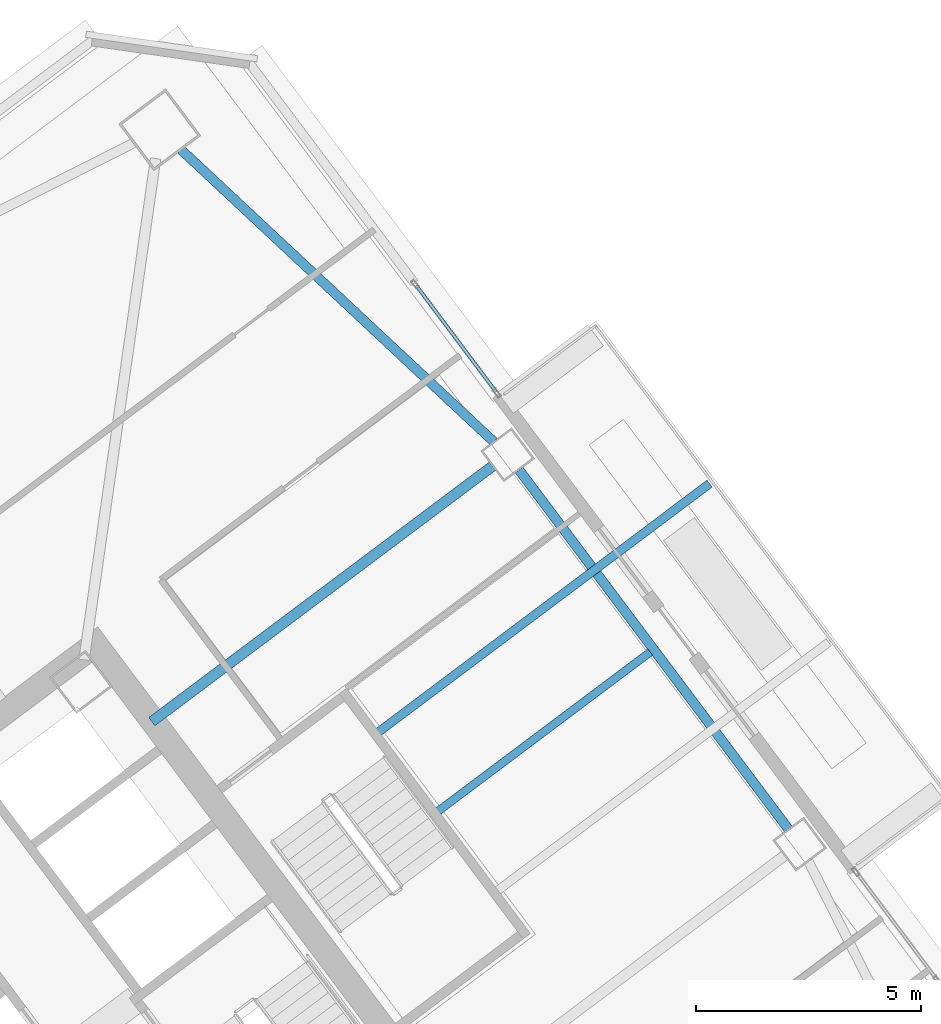
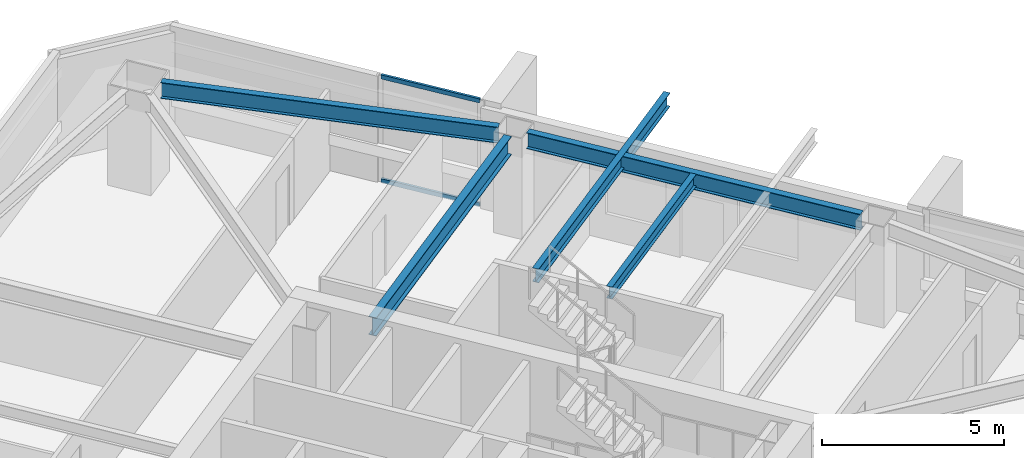
# One storey, part 27 of 41: 5 beams, 2 members, 1 element without a shape of its own.
"""IFC4 building model written with IfcOpenShell, lengths in metres."""

from ifc_helpers import new_model, si_unit, direction, frame, origin, origin_2d, place, context, subcontext, project, spatial, hollow_rectangle, i_section, extrude, material, material_profile, profile_set, type_object, element, aggregate, save


model = new_model("IFC4")

# Units and contexts
model_context = context("Model", 3, precision=1e-05, world=origin(), true_north=direction((0.0, 1.0)))
body_context = subcontext(model_context, "Body", "Model", "MODEL_VIEW")
ifc_project = project(units=[si_unit("LENGTHUNIT", "METRE"), si_unit("AREAUNIT", "SQUARE_METRE"), si_unit("VOLUMEUNIT", "CUBIC_METRE"), si_unit("PLANEANGLEUNIT", "RADIAN"), si_unit("MASSUNIT", "GRAM", prefix="KILO")], contexts=[model_context])

# Site, building, storey
site_placement = place(None, origin())
site = spatial("IfcSite", under=ifc_project, at=site_placement, CompositionType="ELEMENT")
building_placement = place(site_placement, origin())
building = spatial("IfcBuilding", under=site, at=building_placement, Name="Tashvorn Skyway Center", CompositionType="ELEMENT")
storey_placement = place(building_placement, frame((0.0, 0.0, 146.35009765625)))
storey = spatial("IfcBuildingStorey", under=building, at=storey_placement, Name="L39", CompositionType="ELEMENT", Elevation=146.35009765625)

# Beams
ifc_material_1 = material(Name="Steel ASTM A992 Grade 50", Category="steel")
ifc_material_profile_1 = material_profile(ifc_material_1, i_section(OverallWidth=0.22998046875, OverallDepth=0.616943359375, WebThickness=0.01318359375, FlangeThickness=0.022216796875, at=origin_2d()), Name="W24X94")
ifc_profile_set_1 = profile_set([ifc_material_profile_1], Name="Steel ASTM A992 Grade 50")
beam_type_1 = type_object("IfcBeamType", Name="BM-BEAM-W24X94", PredefinedType="BEAM", material=ifc_profile_set_1)
beam_1_placement = place(storey_placement, frame((124.5439453125, 46.657958984375, 3.0615234375), z_axis=(-0.800006200354, -0.599991732772, 0.0), x_axis=(0.599991732772, -0.800006200354, 0.0)))
element("IfcBeam", 1, at=beam_1_placement, inside=storey, type_object=beam_type_1, Name="Tower 2 L39 Primary Floor Girder FC-E2", PredefinedType="BEAM", context=body_context, shape_type="SweptSolid", body=[
    extrude(i_section(OverallWidth=0.22998046875, OverallDepth=0.616943359375, WebThickness=0.01318359375, FlangeThickness=0.022216796875, at=origin_2d()), origin(), (0.0, 0.0, 1.0), 9.449951171875),
])
ifc_material_profile_2 = material_profile(ifc_material_1, i_section(OverallWidth=0.177978515625, OverallDepth=0.406005859375, WebThickness=0.0078125, FlangeThickness=0.0126953125, at=origin_2d()), Name="W16X40")
ifc_profile_set_2 = profile_set([ifc_material_profile_2], Name="Steel ASTM A992 Grade 50")
beam_type_2 = type_object("IfcBeamType", Name="BM-JOIST-W16X40", PredefinedType="JOIST", material=ifc_profile_set_2)
beam_2_placement = place(storey_placement, frame((123.3359375, 39.001953125, 3.1669921875), z_axis=(0.8, 0.6, 0.0), x_axis=(-0.6, 0.8, 0.0)))
element("IfcBeam", 2, at=beam_2_placement, inside=storey, type_object=beam_type_2, Name="Tower 2 L39 Secondary Composite Joist JE", PredefinedType="JOIST", context=body_context, shape_type="SweptSolid", body=[
    extrude(i_section(OverallWidth=0.177978515625, OverallDepth=0.406005859375, WebThickness=0.0078125, FlangeThickness=0.0126953125, at=origin_2d()), origin(), (0.0, 0.0, 1.0), 5.882568359375),
])
ifc_material_profile_3 = material_profile(ifc_material_1, i_section(OverallWidth=0.19091796875, OverallDepth=0.4599609375, WebThickness=0.010009765625, FlangeThickness=0.01611328125, at=origin_2d()), Name="W18X55")
ifc_profile_set_3 = profile_set([ifc_material_profile_3], Name="Steel ASTM A992 Grade 50")
beam_type_3 = type_object("IfcBeamType", Name="BM-JOIST-W18X55", PredefinedType="JOIST", material=ifc_profile_set_3)
beam_3_placement = place(storey_placement, frame((122.01611328125, 40.761962890625, 3.139892578125), z_axis=(0.799996808618, 0.600004255152, 0.0), x_axis=(-0.600004255152, 0.799996808618, 0.0)))
element("IfcBeam", 3, at=beam_3_placement, inside=storey, type_object=beam_type_3, Name="Tower 2 L40 Terrace Cantilever Outlooker 2", PredefinedType="JOIST", context=body_context, shape_type="SweptSolid", body=[
    extrude(i_section(OverallWidth=0.19091796875, OverallDepth=0.4599609375, WebThickness=0.010009765625, FlangeThickness=0.01611328125, at=origin_2d()), origin(), (0.0, 0.0, 1.0), 9.179931640625),
])
ifc_material_profile_4 = material_profile(ifc_material_1, i_section(OverallWidth=0.2109375, OverallDepth=0.5390625, WebThickness=0.01171875, FlangeThickness=0.018798828125, at=origin_2d()), Name="W21X73")
ifc_profile_set_4 = profile_set([ifc_material_profile_4], Name="Steel ASTM A992 Grade 50")
beam_type_4 = type_object("IfcBeamType", Name="BM-SPANDREL-W21X73", PredefinedType="SPANDREL", material=ifc_profile_set_4)
beam_4_placement = place(storey_placement, frame((131.10791015625, 38.60595703125, 3.100341796875), z_axis=(-0.599988234018, 0.800008824351, 0.0), x_axis=(-0.800008824351, -0.599988234018, 0.0)))
element("IfcBeam", 4, at=beam_4_placement, inside=storey, type_object=beam_type_4, Name="Tower 2 L39 Spandrel Beam 05", PredefinedType="SPANDREL", context=body_context, shape_type="SweptSolid", body=[
    extrude(i_section(OverallWidth=0.2109375, OverallDepth=0.5390625, WebThickness=0.01171875, FlangeThickness=0.018798828125, at=origin_2d()), origin(), (0.0, 0.0, 1.0), 9.9599609375),
])
beam_5_placement = place(storey_placement, frame((124.572998046875, 47.19677734375, 3.100341796875), z_axis=(-0.730843250868, 0.682545341102, 0.0), x_axis=(-0.682545341102, -0.730843250868, 0.0)))
element("IfcBeam", 5, at=beam_5_placement, inside=storey, type_object=beam_type_4, Name="Tower 2 L39 Spandrel Beam 06", PredefinedType="SPANDREL", context=body_context, shape_type="SweptSolid", body=[
    extrude(i_section(OverallWidth=0.2109375, OverallDepth=0.5390625, WebThickness=0.01171875, FlangeThickness=0.018798828125, at=origin_2d()), origin(), (0.0, 0.0, 1.0), 9.498046875),
])

# Curtain wall, members
ifc_material_2 = material(Name="Thermally broken bronze-anodized aluminium 6063-T6", Category="aluminium")
curtain_wall_type = type_object("IfcCurtainWallType", Name="CW-CW-Z3", PredefinedType="NOTDEFINED", material=ifc_material_2)
curtain_wall_placement = place(storey_placement, origin())
curtain_wall = element("IfcCurtainWall", 6, at=curtain_wall_placement, inside=storey, type_object=curtain_wall_type, Name="Tower 2 L39 East Curtain Wall L Glazing Group 1", PredefinedType="NOTDEFINED")
ifc_material_profile_5 = material_profile(ifc_material_2, hollow_rectangle(XDim=0.074951171875, YDim=0.139892578125, WallThickness=0.004150390625, at=origin_2d()), Name="ALU-TRAN-75x140")
ifc_profile_set_5 = profile_set([ifc_material_profile_5], Name="Thermally broken bronze-anodized aluminium 6063-T6")
member_type = type_object("IfcMemberType", Name="CWT-CW-Z3", PredefinedType="USERDEFINED", material=ifc_profile_set_5)
member_1_placement = place(storey_placement, frame((122.85302734375, 50.66259765625, 0.037353515625), z_axis=(0.6, -0.8, 0.0), x_axis=(0.8, 0.6, 0.0)))
member_1 = element("IfcMember", 7, at=member_1_placement, type_object=member_type, Name="CW-Z3 transom 1.1", ObjectType="TRANSOM", PredefinedType="USERDEFINED", context=body_context, shape_type="SweptSolid", body=[
    extrude(hollow_rectangle(XDim=0.074951171875, YDim=0.139892578125, WallThickness=0.004150390625, at=origin_2d()), origin(), (0.0, 0.0, 1.0), 2.943115234375),
])
member_2_placement = place(storey_placement, frame((122.85302734375, 50.66259765625, 3.512451171875), z_axis=(0.6, -0.8, 0.0), x_axis=(0.8, 0.6, 0.0)))
member_2 = element("IfcMember", 8, at=member_2_placement, type_object=member_type, Name="CW-Z3 transom 1.2", ObjectType="TRANSOM", PredefinedType="USERDEFINED", context=body_context, shape_type="SweptSolid", body=[
    extrude(hollow_rectangle(XDim=0.074951171875, YDim=0.139892578125, WallThickness=0.004150390625, at=origin_2d()), origin(), (0.0, 0.0, 1.0), 2.943115234375),
])
aggregate(curtain_wall, [member_1, member_2])

save(model, "model.ifc")
